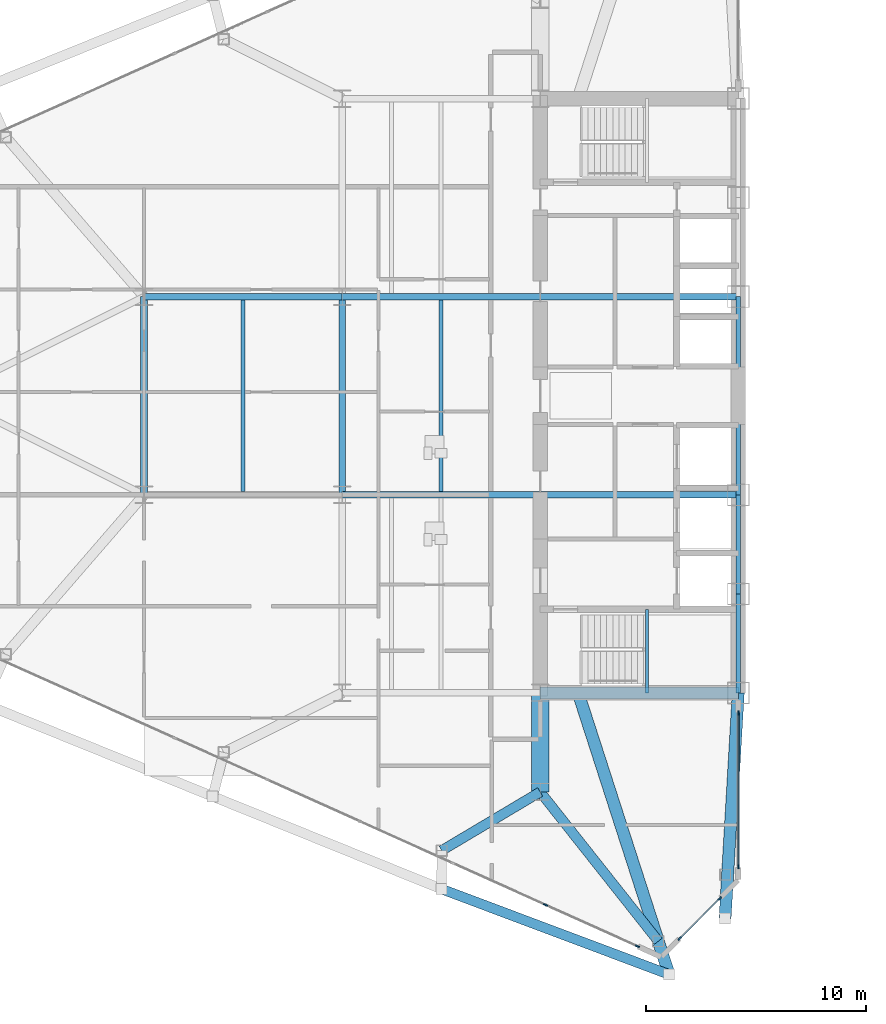
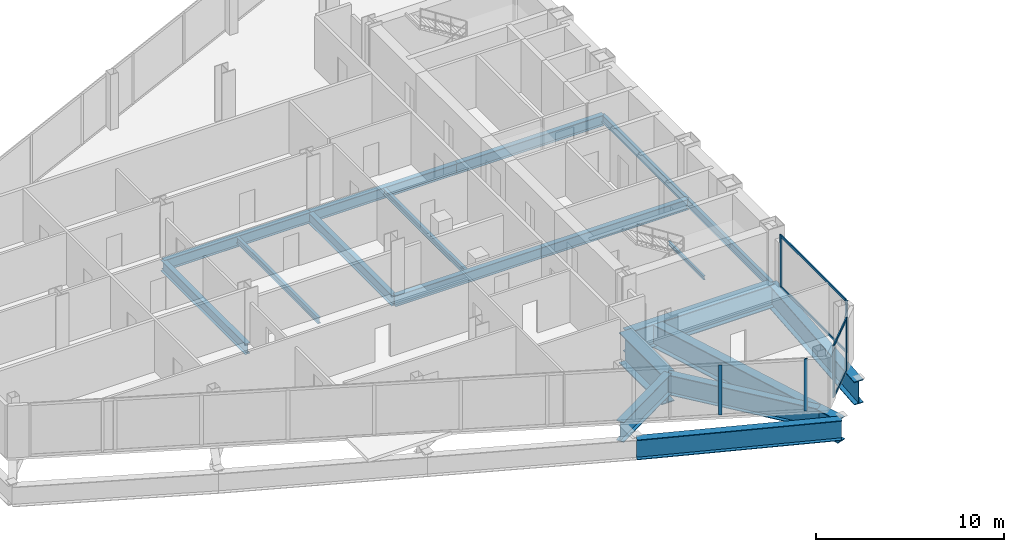
# One storey, part 7 of 29: 20 beams, 10 members, 3 elements without a shape of their own.
"""IFC4 building model written with IfcOpenShell, lengths in metres."""

from ifc_helpers import new_model, si_unit, direction, frame, origin, origin_2d, place, context, subcontext, project, spatial, rectangle, i_section, extrude, source, transform, mapped, material, layer, layer_set, material_profile, profile_set, type_object, type_shapes, element, aggregate, save


model = new_model("IFC4")

# Units and contexts
model_context = context("Model", 3, precision=1e-05, world=origin(), true_north=direction((0.0, 1.0)))
body_context = subcontext(model_context, "Body", "Model", "MODEL_VIEW")
ifc_project = project(units=[si_unit("LENGTHUNIT", "METRE"), si_unit("AREAUNIT", "SQUARE_METRE"), si_unit("VOLUMEUNIT", "CUBIC_METRE"), si_unit("PLANEANGLEUNIT", "RADIAN"), si_unit("MASSUNIT", "GRAM", prefix="KILO")], contexts=[model_context])

# Site, building, storey
site_placement = place(None, origin())
site = spatial("IfcSite", under=ifc_project, at=site_placement, CompositionType="ELEMENT")
building_placement = place(site_placement, origin())
building = spatial("IfcBuilding", under=site, at=building_placement, Name="Seokmaru Belvedere", CompositionType="ELEMENT")
storey_placement = place(building_placement, frame((0.0, 0.0, 62.10009765625)))
storey = spatial("IfcBuildingStorey", under=building, at=storey_placement, Name="L16", CompositionType="ELEMENT", Elevation=62.10009765625)

# Beams
ifc_material_1 = material(Name="Steel SM355 (355 MPa)", Category="steel")
ifc_material_profile_1 = material_profile(ifc_material_1, i_section(OverallWidth=0.199951171875, OverallDepth=0.5, WebThickness=0.010009765625, FlangeThickness=0.01611328125, at=origin_2d()), Name="H-500x200x10x16")
ifc_profile_set_1 = profile_set([ifc_material_profile_1], Name="Steel SM355 (355 MPa)")
beam_type_1 = type_object("IfcBeamType", Name="Perimeter Spandrel Beam H-500", PredefinedType="SPANDREL", material=ifc_profile_set_1)
shared_shape_1 = source(origin(), body_context, "Body", "SweptSolid", [
    extrude(i_section(OverallWidth=0.199951171875, OverallDepth=0.5, WebThickness=0.010009765625, FlangeThickness=0.01611328125, at=origin_2d()), origin(), (0.0, 0.0, 1.0), 4.5),
])
for number, where, z_axis, x_axis, name in (
    (1, (-27.5, -13.5, -0.47021484375), (0.0, 1.0, 0.0), (-1.0, 0.0, 0.0), "L16 W Portal Spine Spandrel 1"),
    (2, (-27.5, -9.0, -0.47021484375), (0.0, 1.0, 0.0), (-1.0, 0.0, 0.0), "L16 W Portal Spine Spandrel 2"),
):
    element("IfcBeam", number, at=place(storey_placement, frame(where, z_axis=z_axis, x_axis=x_axis)), inside=storey, type_object=beam_type_1, Name=name, PredefinedType="SPANDREL", context=body_context, shape_type="MappedRepresentation", body=[
        mapped(shared_shape_1, transform((0.0, 0.0, 0.0), scale=1.0)),
    ])
shared_shape_2 = source(origin(), body_context, "Body", "SweptSolid", [
    extrude(i_section(OverallWidth=0.199951171875, OverallDepth=0.5, WebThickness=0.010009765625, FlangeThickness=0.01611328125, at=origin_2d()), origin(), (0.0, 0.0, 1.0), 9.0),
])
type_shapes(beam_type_1, [shared_shape_1, shared_shape_2])
beam_1_placement = place(storey_placement, frame((-27.5, -4.5, -0.47021484375), z_axis=(0.0, 1.0, 0.0), x_axis=(-1.0, 0.0, 0.0)))
element("IfcBeam", 3, at=beam_1_placement, inside=storey, type_object=beam_type_1, Name="L16 W Portal Spine Spandrel 3", PredefinedType="SPANDREL", context=body_context, shape_type="MappedRepresentation", body=[
    mapped(shared_shape_2, transform((0.0, 0.0, 0.0), scale=1.0)),
])
ifc_material_profile_2 = material_profile(ifc_material_1, i_section(OverallWidth=0.300048828125, OverallDepth=0.699951171875, WebThickness=0.012939453125, FlangeThickness=0.02392578125, at=origin_2d()), Name="H-700x300x13x24")
ifc_profile_set_2 = profile_set([ifc_material_profile_2], Name="Steel SM355 (355 MPa)")
beam_type_2 = type_object("IfcBeamType", Name="Primary Floor Girder H-700", PredefinedType="BEAM", material=ifc_profile_set_2)
shared_shape_3 = source(origin(), body_context, "Body", "SweptSolid", [
    extrude(i_section(OverallWidth=0.300048828125, OverallDepth=0.699951171875, WebThickness=0.012939453125, FlangeThickness=0.02392578125, at=origin_2d()), origin(), (0.0, 0.0, 1.0), 9.0),
])
type_shapes(beam_type_2, [shared_shape_3])
for number, where, z_axis, x_axis, name in (
    (4, (-45.5, -4.5, -0.570068359375), (0.0, 1.0, 0.0), (-1.0, 0.0, 0.0), "L16 W Interior Grid Girder 2"),
    (5, (-36.5, -4.5, -0.570068359375), (1.0, 0.0, 0.0), (0.0, 1.0, 0.0), "L16 W Core Tie Girder 2"),
    (6, (-45.5, -4.5, -0.570068359375), (1.0, 0.0, 0.0), (0.0, 1.0, 0.0), "L16 W Wing Primary Girder 2"),
    (7, (-36.5, 4.5, -0.570068359375), (1.0, 0.0, 0.0), (0.0, 1.0, 0.0), "L16 W Core Tie Girder 3"),
    (8, (-45.5, 4.5, -0.570068359375), (1.0, 0.0, 0.0), (0.0, 1.0, 0.0), "L16 W Wing Primary Girder 3"),
    (9, (-54.5, 4.5, -0.570068359375), (1.0, 0.0, 0.0), (0.0, 1.0, 0.0), "L16 W Outer Wing Girder 2"),
    (10, (-54.5, -4.5, -0.570068359375), (0.0, 1.0, 0.0), (-1.0, 0.0, 0.0), "L16 W Apex Frame Girder"),
):
    element("IfcBeam", number, at=place(storey_placement, frame(where, z_axis=z_axis, x_axis=x_axis)), inside=storey, type_object=beam_type_2, Name=name, PredefinedType="BEAM", context=body_context, shape_type="MappedRepresentation", body=[
        mapped(shared_shape_3, transform((0.0, 0.0, 0.0), scale=1.0)),
    ])
ifc_material_profile_3 = material_profile(ifc_material_1, i_section(OverallWidth=0.18505859375, OverallDepth=0.389892578125, WebThickness=0.008056640625, FlangeThickness=0.011962890625, at=origin_2d()), Name="H-390x185x8x12")
ifc_profile_set_3 = profile_set([ifc_material_profile_3], Name="Steel SM355 (355 MPa)")
beam_type_3 = type_object("IfcBeamType", Name="Secondary Floor Joist H-350", PredefinedType="JOIST", material=ifc_profile_set_3)
shared_shape_4 = source(origin(), body_context, "Body", "SweptSolid", [
    extrude(i_section(OverallWidth=0.18505859375, OverallDepth=0.389892578125, WebThickness=0.008056640625, FlangeThickness=0.011962890625, at=origin_2d()), origin(), (0.0, 0.0, 1.0), 8.68994140625),
])
type_shapes(beam_type_3, [shared_shape_4])
for number, where, z_axis, x_axis, name in (
    (11, (-41.0, -4.344970703125, -0.4150390625), (0.0, 1.0, 0.0), (-1.0, 0.0, 0.0), "L16 W Secondary Floor Joist 2"),
    (12, (-50.0, -4.344970703125, -0.4150390625), (0.0, 1.0, 0.0), (-1.0, 0.0, 0.0), "L16 W Outer Bay Secondary Joist"),
):
    element("IfcBeam", number, at=place(storey_placement, frame(where, z_axis=z_axis, x_axis=x_axis)), inside=storey, type_object=beam_type_3, Name=name, PredefinedType="JOIST", context=body_context, shape_type="MappedRepresentation", body=[
        mapped(shared_shape_4, transform((0.0, 0.0, 0.0), scale=1.0)),
    ])
ifc_material_2 = material(Name="Steel HSA650 (650 MPa)", Category="steel")
ifc_material_profile_4 = material_profile(ifc_material_2, i_section(OverallWidth=0.800048828125, OverallDepth=2.0, WebThickness=0.0400390625, FlangeThickness=0.070068359375, at=origin_2d()), Name="BH-2000x800x40x70")
ifc_profile_set_4 = profile_set([ifc_material_profile_4], Name="Steel HSA650 (650 MPa)")
beam_type_4 = type_object("IfcBeamType", Name="Sky-Gate Transfer Truss Chord Girder BH-2000", PredefinedType="BEAM", material=ifc_profile_set_4)
shared_shape_5 = source(origin(), body_context, "Body", "SweptSolid", [
    extrude(i_section(OverallWidth=0.800048828125, OverallDepth=2.0, WebThickness=0.0400390625, FlangeThickness=0.070068359375, at=origin_2d()), origin(), (0.0, 0.0, 1.0), 4.5),
])
type_shapes(beam_type_4, [shared_shape_5])
beam_2_placement = place(storey_placement, frame((-36.5, -18.0, -1.22021484375), z_axis=(0.0, 1.0, 0.0), x_axis=(-1.0, 0.0, 0.0)))
element("IfcBeam", 13, at=beam_2_placement, inside=storey, type_object=beam_type_4, Name="L16 W Core Shoulder Girder S", PredefinedType="BEAM", context=body_context, shape_type="MappedRepresentation", body=[
    mapped(shared_shape_5, transform((0.0, 0.0, 0.0), scale=1.0)),
])
ifc_material_profile_5 = material_profile(ifc_material_2, i_section(OverallWidth=0.449951171875, OverallDepth=1.300048828125, WebThickness=0.02197265625, FlangeThickness=0.0380859375, at=origin_2d()), Name="BH-1300x450x22x38")
ifc_profile_set_5 = profile_set([ifc_material_profile_5], Name="Steel HSA650 (650 MPa)")
beam_type_5 = type_object("IfcBeamType", Name="Observatory Long-Span Roof Girder BH-1300", PredefinedType="BEAM", material=ifc_profile_set_5)
shared_shape_6 = source(origin(), body_context, "Body", "SweptSolid", [
    extrude(i_section(OverallWidth=0.449951171875, OverallDepth=1.300048828125, WebThickness=0.02197265625, FlangeThickness=0.0380859375, at=origin_2d()), origin(), (0.0, 0.0, 1.0), 11.03857421875),
])
beam_3_placement = place(storey_placement, frame((-30.643310546875, -26.294677734375, -0.8701171875), z_axis=(-0.936169110734, 0.351549990907, 0.0), x_axis=(-0.351549990907, -0.936169110734, 0.0)))
element("IfcBeam", 14, at=beam_3_placement, inside=storey, type_object=beam_type_5, Name="L16 W Faceted Flank Spandrel S-1", PredefinedType="BEAM", context=body_context, shape_type="MappedRepresentation", body=[
    mapped(shared_shape_6, transform((0.0, 0.0, 0.0), scale=1.0)),
])
ifc_material_profile_6 = material_profile(ifc_material_2, i_section(OverallWidth=0.550048828125, OverallDepth=1.5, WebThickness=0.028076171875, FlangeThickness=0.044921875, at=origin_2d()), Name="BH-1500x550x28x45")
ifc_profile_set_6 = profile_set([ifc_material_profile_6], Name="Steel HSA650 (650 MPa)")
beam_type_6 = type_object("IfcBeamType", Name="Setback Transfer Girder BH-1500", PredefinedType="BEAM", material=ifc_profile_set_6)
shared_shape_7 = source(origin(), body_context, "Body", "SweptSolid", [
    extrude(i_section(OverallWidth=0.550048828125, OverallDepth=1.5, WebThickness=0.028076171875, FlangeThickness=0.044921875, at=origin_2d()), origin(), (0.0, 0.0, 1.0), 10.26904296875),
])
beam_4_placement = place(storey_placement, frame((-28.10009765625, -23.75146484375, -0.97021484375), z_axis=(0.058437709399, 0.998291056817, 0.0), x_axis=(-0.998291056817, 0.058437709399, 0.0)))
element("IfcBeam", 15, at=beam_4_placement, inside=storey, type_object=beam_type_6, Name="L16 W Setback Transfer Girder 1", PredefinedType="BEAM", context=body_context, shape_type="MappedRepresentation", body=[
    mapped(shared_shape_7, transform((0.0, 0.0, 0.0), scale=1.0)),
])
shared_shape_8 = source(origin(), body_context, "Body", "SweptSolid", [
    extrude(i_section(OverallWidth=0.550048828125, OverallDepth=1.5, WebThickness=0.028076171875, FlangeThickness=0.044921875, at=origin_2d()), origin(), (0.0, 0.0, 1.0), 9.0),
])
beam_5_placement = place(storey_placement, frame((-36.5, -13.5, -0.97021484375), z_axis=(1.0, 0.0, 0.0), x_axis=(0.0, 1.0, 0.0)))
element("IfcBeam", 16, at=beam_5_placement, inside=storey, type_object=beam_type_6, Name="L16 W Core Transfer Header 1", PredefinedType="BEAM", context=body_context, shape_type="MappedRepresentation", body=[
    mapped(shared_shape_8, transform((0.0, 0.0, 0.0), scale=1.0)),
])
shared_shape_9 = source(origin(), body_context, "Body", "SweptSolid", [
    extrude(i_section(OverallWidth=0.550048828125, OverallDepth=1.5, WebThickness=0.028076171875, FlangeThickness=0.044921875, at=origin_2d()), origin(), (0.0, 0.0, 1.0), 13.445068359375),
])
type_shapes(beam_type_6, [shared_shape_7, shared_shape_8, shared_shape_9])
beam_6_placement = place(storey_placement, frame((-30.643310546875, -26.294677734375, -0.97021484375), z_axis=(-0.307241517506, 0.951631572574, 0.0), x_axis=(-0.951631572574, -0.307241517506, 0.0)))
element("IfcBeam", 17, at=beam_6_placement, inside=storey, type_object=beam_type_6, Name="L16 W Setback Transfer Girder 6", PredefinedType="BEAM", context=body_context, shape_type="MappedRepresentation", body=[
    mapped(shared_shape_9, transform((0.0, 0.0, 0.0), scale=1.0)),
])
shared_shape_10 = source(origin(), body_context, "Body", "SweptSolid", [
    extrude(i_section(OverallWidth=0.449951171875, OverallDepth=1.300048828125, WebThickness=0.02197265625, FlangeThickness=0.0380859375, at=origin_2d()), origin(), (0.0, 0.0, 1.0), 8.650390625),
])
beam_7_placement = place(storey_placement, frame((-31.13134765625, -24.782958984375, -0.8701171875), z_axis=(-0.620618362853, 0.784112777405, 0.0), x_axis=(-0.784112777405, -0.620618362853, 0.0)))
element("IfcBeam", 18, at=beam_7_placement, inside=storey, type_object=beam_type_5, Name="L16 W Shoulder Sanity Tie Girder 6", PredefinedType="BEAM", context=body_context, shape_type="MappedRepresentation", body=[
    mapped(shared_shape_10, transform((0.0, 0.0, 0.0), scale=1.0)),
])
shared_shape_11 = source(origin(), body_context, "Body", "SweptSolid", [
    extrude(i_section(OverallWidth=0.449951171875, OverallDepth=1.300048828125, WebThickness=0.02197265625, FlangeThickness=0.0380859375, at=origin_2d()), origin(), (0.0, 0.0, 1.0), 5.20458984375),
])
type_shapes(beam_type_5, [shared_shape_6, shared_shape_10, shared_shape_11])
beam_8_placement = place(storey_placement, frame((-40.97265625, -20.661376953125, -0.8701171875), z_axis=(0.859370434188, 0.511353553662, 0.0), x_axis=(-0.511353553662, 0.859370434188, 0.0)))
element("IfcBeam", 19, at=beam_8_placement, inside=storey, type_object=beam_type_5, Name="L16 W Flank Setback Back-Span Girder S-1", PredefinedType="BEAM", context=body_context, shape_type="MappedRepresentation", body=[
    mapped(shared_shape_11, transform((0.0, 0.0, 0.0), scale=1.0)),
])

# Curtain wall, members
ifc_material_3 = material(Name="Bronze Triple Insulating Glass", Category="glass")
ifc_layer = layer(ifc_material_3, 0.195068359375)
ifc_layer_set = layer_set([ifc_layer], Name="Bronze Triple Insulating Glass")
curtain_wall_type = type_object("IfcCurtainWallType", Name="Lower-Mid Tapered Curtain Wall System CW-3", PredefinedType="NOTDEFINED", material=ifc_layer_set)
curtain_wall_1_placement = place(storey_placement, origin())
curtain_wall_1 = element("IfcCurtainWall", 20, at=curtain_wall_1_placement, inside=storey, type_object=curtain_wall_type, Name="L16 Curtain Wall WSP_1", PredefinedType="NOTDEFINED")
ifc_material_4 = material(Name="Anodised Bronze Aluminium", Category="aluminium")
ifc_material_profile_7 = material_profile(ifc_material_4, rectangle(XDim=0.070068359375, YDim=0.195068359375, at=origin_2d()), Name="CW-M-70x195")
ifc_profile_set_7 = profile_set([ifc_material_profile_7], Name="Anodised Bronze Aluminium")
member_type_1 = type_object("IfcMemberType", Name="Bronze Unitised Mullion 70x195", PredefinedType="MULLION", material=ifc_profile_set_7)
shared_shape_12 = source(origin(), body_context, "Body", "SweptSolid", [
    extrude(rectangle(XDim=0.070068359375, YDim=0.195068359375, at=origin_2d()), origin(), (0.0, 0.0, 1.0), 3.3798828125),
])
member_1_placement = place(storey_placement, frame((-27.5, -21.39501953125, 0.0), z_axis=(0.0, 0.0, 1.0), x_axis=(-1.0, 0.0, 0.0)))
member_1 = element("IfcMember", 21, at=member_1_placement, type_object=member_type_1, Name="CW:L16:WSP_1 Mullion 1", PredefinedType="MULLION", context=body_context, shape_type="MappedRepresentation", body=[
    mapped(shared_shape_12, transform((0.0, 0.0, 0.0), scale=1.0)),
])
member_2_placement = place(storey_placement, frame((-27.5, -14.4150390625, 0.0), z_axis=(0.0, 0.0, 1.0), x_axis=(-1.0, 0.0, 0.0)))
member_2 = element("IfcMember", 22, at=member_2_placement, type_object=member_type_1, Name="CW:L16:WSP_1 Mullion 2", PredefinedType="MULLION", context=body_context, shape_type="MappedRepresentation", body=[
    mapped(shared_shape_12, transform((0.0, 0.0, 0.0), scale=1.0)),
])

# Curtain wall, member
curtain_wall_2_placement = place(storey_placement, origin())
curtain_wall_2 = element("IfcCurtainWall", 23, at=curtain_wall_2_placement, inside=storey, type_object=curtain_wall_type, Name="L16 Curtain Wall WF5", PredefinedType="NOTDEFINED")
member_3_placement = place(storey_placement, frame((-32.08056640625, -25.013671875, 0.0), z_axis=(0.0, 0.0, 1.0), x_axis=(0.41036554765, 0.91192111353, 0.0)))
member_3 = element("IfcMember", 24, at=member_3_placement, type_object=member_type_1, Name="CW:L16:WF5 Mullion 10", PredefinedType="MULLION", context=body_context, shape_type="MappedRepresentation", body=[
    mapped(shared_shape_12, transform((0.0, 0.0, 0.0), scale=1.0)),
])

# Curtain wall, members
curtain_wall_3_placement = place(storey_placement, origin())
curtain_wall_3 = element("IfcCurtainWall", 25, at=curtain_wall_3_placement, inside=storey, type_object=curtain_wall_type, Name="L16 Curtain Wall WF6", PredefinedType="NOTDEFINED")
member_4_placement = place(storey_placement, frame((-30.162109375, -24.662109375, 0.0), z_axis=(0.0, 0.0, 1.0), x_axis=(-0.707106781187, 0.707106781187, 0.0)))
member_4 = element("IfcMember", 26, at=member_4_placement, type_object=member_type_1, Name="CW:L16:WF6 Mullion 1", PredefinedType="MULLION", context=body_context, shape_type="MappedRepresentation", body=[
    mapped(shared_shape_12, transform((0.0, 0.0, 0.0), scale=1.0)),
])
member_5_placement = place(storey_placement, frame((-28.337890625, -22.837890625, 0.0), z_axis=(0.0, 0.0, 1.0), x_axis=(-0.707106781187, 0.707106781187, 0.0)))
member_5 = element("IfcMember", 27, at=member_5_placement, type_object=member_type_1, Name="CW:L16:WF6 Mullion 2", PredefinedType="MULLION", context=body_context, shape_type="MappedRepresentation", body=[
    mapped(shared_shape_12, transform((0.0, 0.0, 0.0), scale=1.0)),
])

# Member
ifc_material_profile_8 = material_profile(ifc_material_4, rectangle(XDim=0.070068359375, YDim=0.1650390625, at=origin_2d()), Name="CW-T-70x165")
ifc_profile_set_8 = profile_set([ifc_material_profile_8], Name="Anodised Bronze Aluminium")
member_type_2 = type_object("IfcMemberType", Name="Bronze Unitised Transom 70x165", PredefinedType="USERDEFINED", material=ifc_profile_set_8)
shared_shape_13 = source(origin(), body_context, "Body", "SweptSolid", [
    extrude(rectangle(XDim=0.070068359375, YDim=0.1650390625, at=origin_2d()), origin(), (0.0, 0.0, 1.0), 6.91015625),
])
member_6_placement = place(storey_placement, frame((-27.5, -21.360107421875, 0.034912109375), z_axis=(0.0, 1.0, 0.0), x_axis=(-1.0, 0.0, 0.0)))
member_6 = element("IfcMember", 28, at=member_6_placement, type_object=member_type_2, Name="CW:L16:WSP_1 Continuous Transom 1", ObjectType="TRANSOM", PredefinedType="USERDEFINED", context=body_context, shape_type="MappedRepresentation", body=[
    mapped(shared_shape_13, transform((0.0, 0.0, 0.0), scale=1.0)),
])

member_7_placement = place(storey_placement, frame((-27.5, -21.360107421875, 3.344970703125), z_axis=(0.0, 1.0, 0.0), x_axis=(-1.0, 0.0, 0.0)))
member_7 = element("IfcMember", 29, at=member_7_placement, type_object=member_type_2, Name="CW:L16:WSP_1 Continuous Transom 2", ObjectType="TRANSOM", PredefinedType="USERDEFINED", context=body_context, shape_type="MappedRepresentation", body=[
    mapped(shared_shape_13, transform((0.0, 0.0, 0.0), scale=1.0)),
])

aggregate(curtain_wall_1, [member_1, member_2, member_6, member_7])

shared_shape_14 = source(origin(), body_context, "Body", "SweptSolid", [
    extrude(rectangle(XDim=0.070068359375, YDim=0.1650390625, at=origin_2d()), origin(), (0.0, 0.0, 1.0), 2.509521484375),
])
type_shapes(member_type_2, [shared_shape_13, shared_shape_14])
member_8_placement = place(storey_placement, frame((-30.13720703125, -24.63720703125, 0.034912109375), z_axis=(0.707106781187, 0.707106781187, 0.0), x_axis=(-0.707106781187, 0.707106781187, 0.0)))
member_8 = element("IfcMember", 30, at=member_8_placement, type_object=member_type_2, Name="CW:L16:WF6 Continuous Transom 1", ObjectType="TRANSOM", PredefinedType="USERDEFINED", context=body_context, shape_type="MappedRepresentation", body=[
    mapped(shared_shape_14, transform((0.0, 0.0, 0.0), scale=1.0)),
])

member_9_placement = place(storey_placement, frame((-30.13720703125, -24.63720703125, 3.344970703125), z_axis=(0.707106781187, 0.707106781187, 0.0), x_axis=(-0.707106781187, 0.707106781187, 0.0)))
member_9 = element("IfcMember", 31, at=member_9_placement, type_object=member_type_2, Name="CW:L16:WF6 Continuous Transom 2", ObjectType="TRANSOM", PredefinedType="USERDEFINED", context=body_context, shape_type="MappedRepresentation", body=[
    mapped(shared_shape_14, transform((0.0, 0.0, 0.0), scale=1.0)),
])

aggregate(curtain_wall_3, [member_4, member_5, member_8, member_9])

shared_shape_15 = source(origin(), body_context, "Body", "SweptSolid", [
    extrude(rectangle(XDim=0.070068359375, YDim=0.195068359375, at=origin_2d()), origin(), (0.0, 0.0, 1.0), 3.239990234375),
])
type_shapes(member_type_1, [shared_shape_12, shared_shape_15])
member_10_placement = place(storey_placement, frame((-36.260009765625, -23.133056640625, 0.06982421875), z_axis=(0.0, 0.0, 1.0), x_axis=(0.41036554765, 0.91192111353, 0.0)))
member_10 = element("IfcMember", 32, at=member_10_placement, type_object=member_type_1, Name="CW:L16:WF5 Mullion 9", PredefinedType="MULLION", context=body_context, shape_type="MappedRepresentation", body=[
    mapped(shared_shape_15, transform((0.0, 0.0, 0.0), scale=1.0)),
])

aggregate(curtain_wall_2, [member_10, member_3])

# Beam
ifc_material_profile_9 = material_profile(ifc_material_1, i_section(OverallWidth=0.125, OverallDepth=0.25, WebThickness=0.006103515625, FlangeThickness=0.009033203125, at=origin_2d()), Name="H-250x125x6x9")
ifc_profile_set_9 = profile_set([ifc_material_profile_9], Name="Steel SM355 (355 MPa)")
beam_type_7 = type_object("IfcBeamType", Name="Stair Mid-Landing Support Beam H-250", PredefinedType="JOIST", material=ifc_profile_set_9)
shared_shape_16 = source(origin(), body_context, "Body", "SweptSolid", [
    extrude(i_section(OverallWidth=0.125, OverallDepth=0.25, WebThickness=0.006103515625, FlangeThickness=0.009033203125, at=origin_2d()), origin(), (0.0, 0.0, 1.0), 3.800048828125),
])
type_shapes(beam_type_7, [shared_shape_16])
beam_9_placement = place(storey_placement, frame((-31.64990234375, -13.5, 1.474853515625), z_axis=(0.0, 1.0, 0.0), x_axis=(-1.0, 0.0, 0.0)))
element("IfcBeam", 33, at=beam_9_placement, inside=storey, type_object=beam_type_7, Name="L16 Stair ST-W1 Mid-Landing Support Beam 1", PredefinedType="JOIST", context=body_context, shape_type="MappedRepresentation", body=[
    mapped(shared_shape_16, transform((0.0, 0.0, 0.0), scale=1.0)),
])

save(model, "model.ifc")
